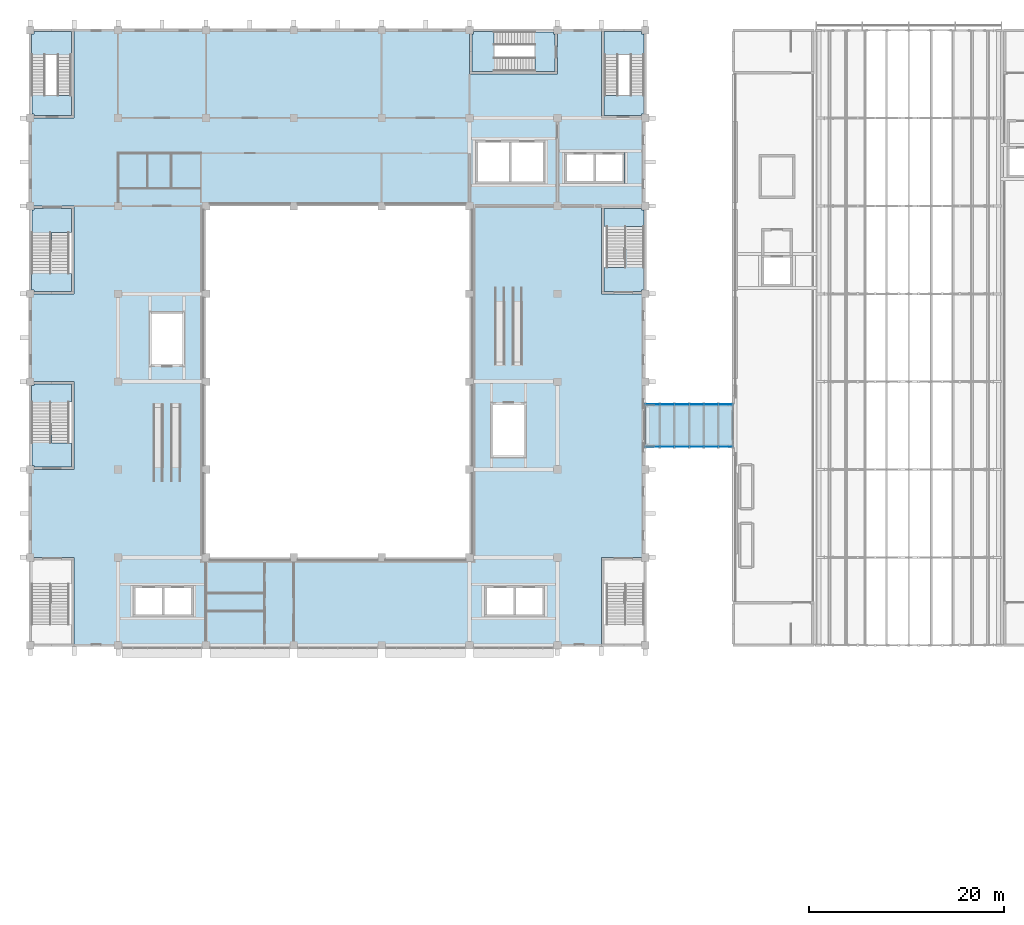
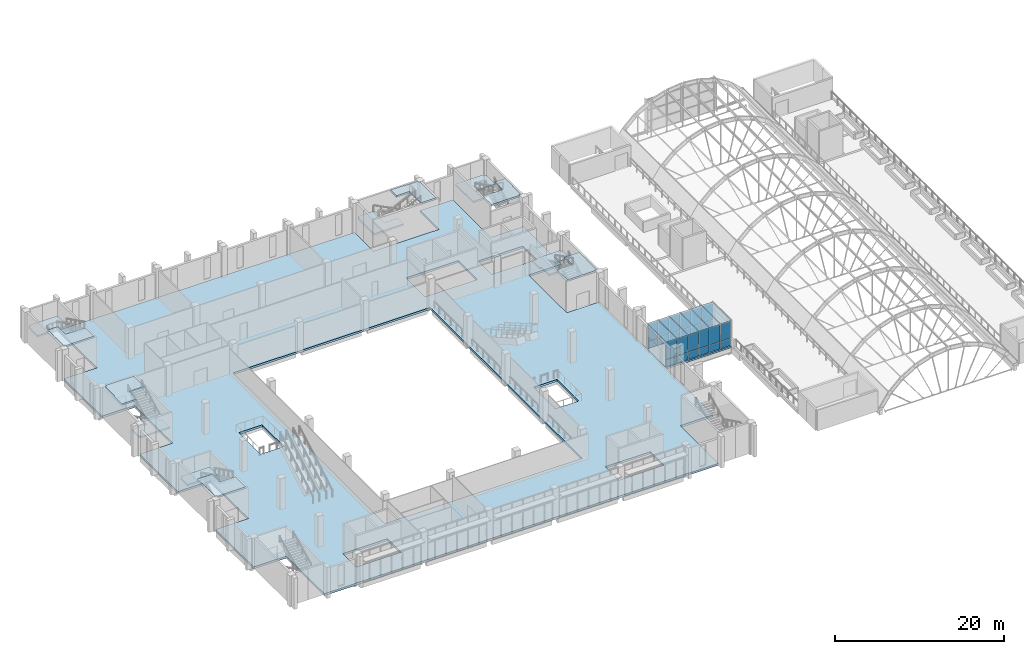
# One storey, part 44 of 79: 30 plates, 14 slabs, 9 elements without a shape of their own.
"""IFC4 building model written with IfcOpenShell, lengths in metres."""

import ifcopenshell
import ifcopenshell.guid

model = None  # the IFC model being written
_history = None  # IfcOwnerHistory: only IFC2X3 demands one
_inside = {}  # id of a spatial element -> (the spatial element, [elements in it])
_under = {}  # id of a project, library or spatial element -> (it, [spatial elements below it])
_declared = {}  # id of a project -> (the project, [libraries it declares])
_typed = {}  # id of a type object -> (the type object, [elements of that type])
_made_of = {}  # id of a material, layer set ... -> (it, [elements and type objects made of it])


def new_model(schema):
    """Start an empty IFC model of exactly this schema.

    Asked for "IFC4X3", IfcOpenShell would pick the latest addendum, in which some entities
    have other attributes; the version numbers below select the first issue.
    IFC2X3 requires an IfcOwnerHistory on every rooted entity: one is made here for all.
    """
    global model, _history
    if schema == "IFC4X3":
        model = ifcopenshell.file(schema_version=(4, 3, 0, 0))
    else:
        model = ifcopenshell.file(schema=schema)
    _inside.clear()
    _under.clear()
    _declared.clear()
    _typed.clear()
    _made_of.clear()
    _history = None
    if model.schema == "IFC2X3":
        org = make("IfcOrganization", Name="unknown")
        user = make(
            "IfcPersonAndOrganization",
            ThePerson=make("IfcPerson", FamilyName="unknown"),
            TheOrganization=org,
        )
        app = make(
            "IfcApplication",
            ApplicationDeveloper=org,
            Version="unknown",
            ApplicationFullName="unknown",
            ApplicationIdentifier="unknown",
        )
        _history = make(
            "IfcOwnerHistory",
            OwningUser=user,
            OwningApplication=app,
            ChangeAction="ADDED",
            CreationDate=0,
        )
    return model


def make(cls, **values):
    """One entity of the class cls with the attributes given. An attribute that is None is left unset."""
    return model.create_entity(
        cls, **{name: value for name, value in values.items() if value is not None}
    )


def rooted(cls, **values):
    """An entity with a GlobalId (a new one), such as an element, a storey or a relation."""
    return make(cls, GlobalId=ifcopenshell.guid.new(), OwnerHistory=_history, **values)


def si_unit(unit_type, name, prefix=None):
    """IfcSIUnit, for example si_unit("LENGTHUNIT", "METRE", prefix="MILLI")."""
    return make("IfcSIUnit", UnitType=unit_type, Prefix=prefix, Name=name)


def assignment(units):
    """IfcUnitAssignment: the units of a project."""
    return None if units is None else make("IfcUnitAssignment", Units=units)


def point(xyz):
    """IfcCartesianPoint."""
    return None if xyz is None else make("IfcCartesianPoint", Coordinates=xyz)


def direction(xyz):
    """IfcDirection."""
    return None if xyz is None else make("IfcDirection", DirectionRatios=xyz)


def frame(location, z_axis=None, x_axis=None):
    """IfcAxis2Placement3D, a coordinate frame: its origin and axes. An axis left out is left unset."""
    return make(
        "IfcAxis2Placement3D",
        Location=point(location),
        Axis=direction(z_axis),
        RefDirection=direction(x_axis),
    )


def frame_2d(location, x_axis=None):
    """IfcAxis2Placement2D, a coordinate frame in the plane: its origin and x axis."""
    return make(
        "IfcAxis2Placement2D", Location=point(location), RefDirection=direction(x_axis)
    )


def origin():
    """The frame at (0, 0, 0) with its axes left unset."""
    return frame((0.0, 0.0, 0.0))


def origin_2d():
    """The frame at (0, 0) in the plane with its x axis left unset."""
    return frame_2d((0.0, 0.0))


def place(relative_to, where):
    """IfcLocalPlacement: puts the frame where relative to a parent placement (None: the world)."""
    return make(
        "IfcLocalPlacement", PlacementRelTo=relative_to, RelativePlacement=where
    )


def context(
    kind, dimensions, precision=None, world=None, true_north=None, identifier=None
):
    """IfcGeometricRepresentationContext, for example the 3D "Model" context."""
    return make(
        "IfcGeometricRepresentationContext",
        ContextIdentifier=identifier,
        ContextType=kind,
        CoordinateSpaceDimension=dimensions,
        Precision=precision,
        WorldCoordinateSystem=world,
        TrueNorth=true_north,
    )


def subcontext(parent, identifier, kind, view, scale=None):
    """IfcGeometricRepresentationSubContext, for example "Body" below "Model"."""
    return make(
        "IfcGeometricRepresentationSubContext",
        ContextIdentifier=identifier,
        ContextType=kind,
        ParentContext=parent,
        TargetScale=scale,
        TargetView=view,
    )


def project(units=None, contexts=None):
    """IfcProject with its units and contexts."""
    return rooted(
        "IfcProject",
        Name="project",
        RepresentationContexts=contexts,
        UnitsInContext=assignment(units),
    )


def spatial(cls, under=None, at=None, **own):
    """A site, building, storey or space (cls), placed at a placement, below another one or the project."""
    s = rooted(cls, ObjectPlacement=at, **own)
    if under is not None:
        _under.setdefault(under.id(), (under, []))[1].append(s)
    return s


def polyline(points):
    """IfcPolyline through the points."""
    return make("IfcPolyline", Points=[point(p) for p in points])


def profile(cls, at=None, kind="AREA", **sizes):
    """A parametric profile (cls). Its sizes go by their IFC names, for example OverallWidth=200.0."""
    return make(cls, ProfileType=kind, Position=at, **sizes)


def rectangle(**sizes):
    """IfcRectangleProfileDef."""
    return profile("IfcRectangleProfileDef", **sizes)


def outline(outer, holes=None, kind="AREA"):
    """IfcArbitraryClosedProfileDef: a profile drawn as a closed curve; with holes, ...WithVoids."""
    if holes is None:
        return make("IfcArbitraryClosedProfileDef", ProfileType=kind, OuterCurve=outer)
    return make(
        "IfcArbitraryProfileDefWithVoids",
        ProfileType=kind,
        OuterCurve=outer,
        InnerCurves=holes,
    )


def extrude(swept, where, along, depth):
    """IfcExtrudedAreaSolid: the profile swept, set in the frame where, extruded along a direction by depth."""
    return make(
        "IfcExtrudedAreaSolid",
        SweptArea=swept,
        Position=where,
        ExtrudedDirection=direction(along),
        Depth=depth,
    )


def shape(context_of_items, identifier, shape_type, items):
    """IfcShapeRepresentation: the items that make up one representation, for example the "Body"."""
    return make(
        "IfcShapeRepresentation",
        ContextOfItems=context_of_items,
        RepresentationIdentifier=identifier,
        RepresentationType=shape_type,
        Items=items,
    )


def material(Name=None, Category=None):
    """IfcMaterial."""
    return make("IfcMaterial", Name=Name, Category=Category)


def layer(
    of_material, thickness, ventilated=None, Name=None, Category=None, Priority=None
):
    """IfcMaterialLayer: one layer of a wall or slab, of a material (None: an air gap)."""
    return make(
        "IfcMaterialLayer",
        Material=of_material,
        LayerThickness=thickness,
        IsVentilated=ventilated,
        Name=Name,
        Category=Category,
        Priority=Priority,
    )


def layer_set(layers, Name=None):
    """IfcMaterialLayerSet."""
    return make("IfcMaterialLayerSet", MaterialLayers=layers, LayerSetName=Name)


def made_of(thing, what):
    """Note that an element or type object is made of a material, layer set ...; save() writes the relation."""
    if what is not None:
        _made_of.setdefault(what.id(), (what, []))[1].append(thing)
    return thing


def type_object(cls, material=None, **own):
    """A type object (cls), such as IfcWallType, which elements share."""
    return made_of(rooted(cls, **own), material)


def element(
    cls,
    number,
    at=None,
    inside=None,
    cuts=None,
    type_object=None,
    material=None,
    context=None,
    identifier="Body",
    shape_type=None,
    held_by="IfcProductDefinitionShape",
    body=None,
    shapes=None,
    **own,
):
    """One element of the class cls, such as IfcWall. Its Tag is "e" and its number.

    at: its placement. inside: the storey or other place that contains it. cuts: it is an
    opening in that element (IfcRelVoidsElement). A single representation is given by context,
    identifier, shape_type and body (its items); several are given by shapes. held_by: the class
    of the entity that holds the representations. save() writes the other relations.
    """
    e = rooted(cls, Tag="e%d" % number, ObjectPlacement=at, **own)
    if body is not None:
        shapes = [shape(context, identifier, shape_type, body)]
    if shapes is not None:
        e.Representation = make(held_by, Representations=shapes)
    if inside is not None:
        _inside.setdefault(inside.id(), (inside, []))[1].append(e)
    if cuts is not None:
        rooted(
            "IfcRelVoidsElement", RelatingBuildingElement=cuts, RelatedOpeningElement=e
        )
    if type_object is not None:
        _typed.setdefault(type_object.id(), (type_object, []))[1].append(e)
    return made_of(e, material)


def aggregate(whole, parts):
    """IfcRelAggregates: a whole, such as a stair, and the parts it consists of."""
    return rooted("IfcRelAggregates", RelatingObject=whole, RelatedObjects=parts)


def save(model, path):
    """Write the relations noted so far, then the file.

    IfcRelAggregates (storeys below a building ...), IfcRelContainedInSpatialStructure (elements
    in a storey), IfcRelDefinesByType, IfcRelAssociatesMaterial and IfcRelDeclares: one each for
    every whole, place, type object, material and project.
    """
    for whole, parts in _under.values():
        aggregate(whole, parts)
    for where, things in _inside.values():
        rooted(
            "IfcRelContainedInSpatialStructure",
            RelatedElements=things,
            RelatingStructure=where,
        )
    for kind, things in _typed.values():
        rooted("IfcRelDefinesByType", RelatedObjects=things, RelatingType=kind)
    for what, things in _made_of.values():
        rooted("IfcRelAssociatesMaterial", RelatedObjects=things, RelatingMaterial=what)
    for by, libraries in _declared.values():
        rooted("IfcRelDeclares", RelatingContext=by, RelatedDefinitions=libraries)
    model.write(path)


model = new_model("IFC4")

# Units and contexts
model_context = context("Model", 3, precision=1e-05, world=origin(), true_north=direction((0.0, 1.0)))
body_context = subcontext(model_context, "Body", "Model", "MODEL_VIEW")
ifc_project = project(units=[si_unit("LENGTHUNIT", "METRE"), si_unit("AREAUNIT", "SQUARE_METRE"), si_unit("VOLUMEUNIT", "CUBIC_METRE"), si_unit("PLANEANGLEUNIT", "RADIAN"), si_unit("MASSUNIT", "GRAM", prefix="KILO")], contexts=[model_context])

# Site, building, storey
site_placement = place(None, origin())
site = spatial("IfcSite", under=ifc_project, at=site_placement, CompositionType="ELEMENT")
building_placement = place(site_placement, origin())
building = spatial("IfcBuilding", under=site, at=building_placement, Name="Guidao Yard Department Store", CompositionType="ELEMENT")
storey_placement = place(building_placement, frame((0.0, 0.0, 15.0)))
storey = spatial("IfcBuildingStorey", under=building, at=storey_placement, Name="L03", CompositionType="ELEMENT", Elevation=15.0)

# Slab
ifc_material_1 = material(Name="Concrete C35", Category="concrete")
ifc_layer_1 = layer(ifc_material_1, 0.25)
ifc_layer_set_1 = layer_set([ifc_layer_1], Name="Bridge deck slab 250 C35")
slab_type_1 = type_object("IfcSlabType", Name="Bridge deck slab 250 C35", PredefinedType="FLOOR", material=ifc_layer_set_1)
slab_1_placement = place(storey_placement, frame((0.0, 0.0, -0.25)))
element("IfcSlab", 1, at=slab_1_placement, inside=storey, type_object=slab_type_1, Name="Slab BR05", PredefinedType="FLOOR", context=body_context, shape_type="SweptSolid", body=[
    extrude(outline(polyline([(63.014892578125, 65.25), (63.014892578125, 69.75), (72.0, 69.75), (72.0, 65.25), (63.014892578125, 65.25)])), origin(), (0.0, 0.0, 1.0), 0.25),
])

# Curtain wall, plates
ifc_material_2 = material(Name="Aluminium and glass", Category="aluminium")
ifc_layer_2 = layer(ifc_material_2, 0.159912109375)
ifc_layer_set_2 = layer_set([ifc_layer_2], Name="Bridge glazing CW5 1500 module")
curtain_wall_type = type_object("IfcCurtainWallType", Name="Bridge glazing CW5 1500 module", PredefinedType="NOTDEFINED", material=ifc_layer_set_2)
curtain_wall_1_placement = place(storey_placement, origin())
curtain_wall_1 = element("IfcCurtainWall", 2, at=curtain_wall_1_placement, inside=storey, type_object=curtain_wall_type, Name="Bridge roof glazing BR05", PredefinedType="NOTDEFINED")
ifc_material_3 = material(Name="Laminated glass", Category="glass")
ifc_layer_3 = layer(ifc_material_3, 0.017578125)
ifc_layer_set_3 = layer_set([ifc_layer_3], Name="Bridge roof glass BG1 laminated 8+8 fritted")
plate_type_1 = type_object("IfcPlateType", Name="Bridge roof glass BG1 laminated 8+8 fritted", PredefinedType="CURTAIN_PANEL", material=ifc_layer_set_3)
plate_1_placement = place(storey_placement, frame((63.764892578125, 67.5, 3.671142578125), z_axis=(0.0, 0.0, 1.0), x_axis=(1.0, 0.0, 0.0)))
plate_1 = element("IfcPlate", 3, at=plate_1_placement, type_object=plate_type_1, Name="Bridge roof glass BR05", PredefinedType="CURTAIN_PANEL", context=body_context, shape_type="SweptSolid", body=[
    extrude(rectangle(XDim=1.43994140625, YDim=4.5, at=origin_2d()), origin(), (0.0, 0.0, 1.0), 0.017578125),
])
plate_2_placement = place(storey_placement, frame((65.264892578125, 67.5, 3.671142578125), z_axis=(0.0, 0.0, 1.0), x_axis=(1.0, 0.0, 0.0)))
plate_2 = element("IfcPlate", 4, at=plate_2_placement, type_object=plate_type_1, Name="Bridge roof glass BR05", PredefinedType="CURTAIN_PANEL", context=body_context, shape_type="SweptSolid", body=[
    extrude(rectangle(XDim=1.43994140625, YDim=4.5, at=origin_2d()), origin(), (0.0, 0.0, 1.0), 0.017578125),
])
plate_3_placement = place(storey_placement, frame((66.764892578125, 67.5, 3.671142578125), z_axis=(0.0, 0.0, 1.0), x_axis=(1.0, 0.0, 0.0)))
plate_3 = element("IfcPlate", 5, at=plate_3_placement, type_object=plate_type_1, Name="Bridge roof glass BR05", PredefinedType="CURTAIN_PANEL", context=body_context, shape_type="SweptSolid", body=[
    extrude(rectangle(XDim=1.43994140625, YDim=4.5, at=origin_2d()), origin(), (0.0, 0.0, 1.0), 0.017578125),
])
plate_4_placement = place(storey_placement, frame((68.264892578125, 67.5, 3.671142578125), z_axis=(0.0, 0.0, 1.0), x_axis=(1.0, 0.0, 0.0)))
plate_4 = element("IfcPlate", 6, at=plate_4_placement, type_object=plate_type_1, Name="Bridge roof glass BR05", PredefinedType="CURTAIN_PANEL", context=body_context, shape_type="SweptSolid", body=[
    extrude(rectangle(XDim=1.43994140625, YDim=4.5, at=origin_2d()), origin(), (0.0, 0.0, 1.0), 0.017578125),
])
plate_5_placement = place(storey_placement, frame((69.764892578125, 67.5, 3.671142578125), z_axis=(0.0, 0.0, 1.0), x_axis=(1.0, 0.0, 0.0)))
plate_5 = element("IfcPlate", 7, at=plate_5_placement, type_object=plate_type_1, Name="Bridge roof glass BR05", PredefinedType="CURTAIN_PANEL", context=body_context, shape_type="SweptSolid", body=[
    extrude(rectangle(XDim=1.43994140625, YDim=4.5, at=origin_2d()), origin(), (0.0, 0.0, 1.0), 0.017578125),
])
plate_6_placement = place(storey_placement, frame((71.257568359375, 67.5, 3.671142578125), z_axis=(0.0, 0.0, 1.0), x_axis=(1.0, 0.0, 0.0)))
plate_6 = element("IfcPlate", 8, at=plate_6_placement, type_object=plate_type_1, Name="Bridge roof glass BR05", PredefinedType="CURTAIN_PANEL", context=body_context, shape_type="SweptSolid", body=[
    extrude(rectangle(XDim=1.425048828125, YDim=4.5, at=origin_2d()), origin(), (0.0, 0.0, 1.0), 0.017578125),
])
aggregate(curtain_wall_1, [plate_1, plate_2, plate_3, plate_4, plate_5, plate_6])

# Slab
ifc_material_4 = material(Name="Concrete C35", Category="concrete")
ifc_layer_4 = layer(ifc_material_4, 0.300048828125)
ifc_layer_set_4 = layer_set([ifc_layer_4], Name="Flat slab 300 C35")
slab_type_2 = type_object("IfcSlabType", Name="Flat slab 300 C35", PredefinedType="FLOOR", material=ifc_layer_set_4)
slab_2_placement = place(storey_placement, frame((0.0, 0.0, -0.300048828125)))
element("IfcSlab", 9, at=slab_2_placement, inside=storey, type_object=slab_type_2, Name="Slab L03-H", PredefinedType="FLOOR", context=body_context, shape_type="SweptSolid", body=[
    extrude(outline(polyline([(58.5, 54.0), (58.5, 45.0), (4.5, 45.0), (4.5, 54.0), (0.0, 54.0), (0.0, 63.0), (4.5, 63.0), (4.5, 72.0), (0.0, 72.0), (0.0, 81.0), (4.5, 81.0), (4.5, 90.0), (0.0, 90.0), (0.0, 99.0), (4.5, 99.0), (4.5, 108.0), (45.0, 108.0), (45.0, 103.5), (54.0, 103.5), (54.0, 108.0), (58.5, 108.0), (58.5, 99.0), (63.0, 99.0), (63.0, 90.0), (58.5, 90.0), (58.5, 81.0), (63.0, 81.0), (63.0, 54.0), (58.5, 54.0)]), holes=[polyline([(16.699951171875, 51.10009765625), (13.75, 51.10009765625), (13.5, 51.10009765625), (10.550048828125, 51.10009765625), (10.550048828125, 47.89990234375), (13.5, 47.89990234375), (13.75, 47.89990234375), (16.699951171875, 47.89990234375), (16.699951171875, 51.10009765625)]), polyline([(46.550048828125, 47.89990234375), (49.5, 47.89990234375), (49.75, 47.89990234375), (52.699951171875, 47.89990234375), (52.699951171875, 51.10009765625), (49.75, 51.10009765625), (49.5, 51.10009765625), (46.550048828125, 51.10009765625), (46.550048828125, 47.89990234375)]), polyline([(47.39990234375, 69.593994140625), (47.39990234375, 64.4560546875), (50.60009765625, 64.4560546875), (50.60009765625, 69.593994140625), (47.39990234375, 69.593994140625)]), polyline([(18.0, 90.0), (18.0, 54.0), (45.0, 54.0), (45.0, 90.0), (18.0, 90.0)]), polyline([(12.39990234375, 78.944091796875), (12.39990234375, 73.805908203125), (15.60009765625, 73.805908203125), (15.60009765625, 78.944091796875), (12.39990234375, 78.944091796875)]), polyline([(54.75, 92.300048828125), (57.699951171875, 92.300048828125), (57.949951171875, 92.300048828125), (60.89990234375, 92.300048828125), (60.89990234375, 95.5), (57.949951171875, 95.5), (57.699951171875, 95.5), (54.75, 95.5), (54.75, 92.300048828125)]), polyline([(45.60009765625, 96.75), (45.60009765625, 92.25), (49.050048828125, 92.25), (49.300048828125, 92.25), (52.75, 92.25), (52.75, 96.75), (49.300048828125, 96.75), (49.050048828125, 96.75), (45.60009765625, 96.75)])]), origin(), (0.0, 0.0, 1.0), 0.300048828125),
])

# Stair, slabs
ifc_material_5 = material(Name="Concrete C35", Category="concrete")
stair_type_1 = type_object("IfcStairType", Name="Stair half-turn two-flight 1800 wide 4.5 m rise", PredefinedType="HALF_TURN_STAIR", material=ifc_material_5)
stair_1_placement = place(storey_placement, origin())
stair_1 = element("IfcStair", 10, at=stair_1_placement, inside=storey, type_object=stair_type_1, Name="Stair A1 L03 to L04", PredefinedType="HALF_TURN_STAIR")
ifc_material_6 = material(Name="Concrete C35", Category="concrete")
ifc_layer_5 = layer(ifc_material_6, 0.25)
ifc_layer_set_5 = layer_set([ifc_layer_5], Name="Stair landing RC 250 C35")
slab_type_3 = type_object("IfcSlabType", Name="Stair landing RC 250 C35", PredefinedType="LANDING", material=ifc_layer_set_5)
slab_3_placement = place(storey_placement, frame((0.0, 0.0, 2.0)))
slab_3 = element("IfcSlab", 11, at=slab_3_placement, type_object=slab_type_3, Name="SA1-L03 landing 1", PredefinedType="LANDING", context=body_context, shape_type="SweptSolid", body=[
    extrude(outline(polyline([(2.175048828125, 69.889892578125), (0.125, 69.889892578125), (0.125, 69.89990234375), (0.125, 71.60009765625), (0.39990234375, 71.60009765625), (0.39990234375, 71.75), (4.25, 71.75), (4.25, 69.89990234375), (3.97509765625, 69.89990234375), (3.97509765625, 68.070068359375), (2.175048828125, 68.070068359375), (2.175048828125, 69.889892578125)])), origin(), (0.0, 0.0, 1.0), 0.25),
])
slab_4_placement = place(storey_placement, frame((0.0, 0.0, 4.25)))
slab_4 = element("IfcSlab", 12, at=slab_4_placement, type_object=slab_type_3, Name="SA1-L03 landing 2", PredefinedType="LANDING", context=body_context, shape_type="SweptSolid", body=[
    extrude(outline(polyline([(0.125, 65.699951171875), (0.125, 67.530029296875), (2.175048828125, 67.530029296875), (2.175048828125, 65.7099609375), (4.25, 65.7099609375), (4.25, 63.25), (2.175048828125, 63.25), (0.39990234375, 63.25), (0.39990234375, 63.39990234375), (0.199951171875, 63.39990234375), (0.199951171875, 65.699951171875), (0.125, 65.699951171875)])), origin(), (0.0, 0.0, 1.0), 0.25),
])
aggregate(stair_1, [slab_3, slab_4])

stair_2_placement = place(storey_placement, origin())
stair_2 = element("IfcStair", 13, at=stair_2_placement, inside=storey, type_object=stair_type_1, Name="Stair A3 L03 to L04", PredefinedType="HALF_TURN_STAIR")
slab_5_placement = place(storey_placement, frame((0.0, 0.0, 2.0)))
slab_5 = element("IfcSlab", 14, at=slab_5_placement, type_object=slab_type_3, Name="SA3-L03 landing 1", PredefinedType="LANDING", context=body_context, shape_type="SweptSolid", body=[
    extrude(outline(polyline([(0.39990234375, 81.25), (0.39990234375, 81.39990234375), (0.125, 81.39990234375), (0.125, 83.10009765625), (0.125, 83.110107421875), (2.175048828125, 83.110107421875), (2.175048828125, 84.929931640625), (3.97509765625, 84.929931640625), (3.97509765625, 83.10009765625), (4.25, 83.10009765625), (4.25, 81.25), (0.39990234375, 81.25)])), origin(), (0.0, 0.0, 1.0), 0.25),
])
slab_6_placement = place(storey_placement, frame((0.0, 0.0, 4.25)))
slab_6 = element("IfcSlab", 15, at=slab_6_placement, type_object=slab_type_3, Name="SA3-L03 landing 2", PredefinedType="LANDING", context=body_context, shape_type="SweptSolid", body=[
    extrude(outline(polyline([(0.125, 87.300048828125), (0.199951171875, 87.300048828125), (0.199951171875, 89.60009765625), (0.39990234375, 89.60009765625), (0.39990234375, 89.75), (2.175048828125, 89.75), (4.25, 89.75), (4.25, 87.2900390625), (2.175048828125, 87.2900390625), (2.175048828125, 85.469970703125), (0.125, 85.469970703125), (0.125, 87.300048828125)])), origin(), (0.0, 0.0, 1.0), 0.25),
])
aggregate(stair_2, [slab_5, slab_6])

stair_3_placement = place(storey_placement, origin())
stair_3 = element("IfcStair", 16, at=stair_3_placement, inside=storey, type_object=stair_type_1, Name="Stair A4 L03 to L04", PredefinedType="HALF_TURN_STAIR")
slab_7_placement = place(storey_placement, frame((0.0, 0.0, 2.0)))
slab_7 = element("IfcSlab", 17, at=slab_7_placement, type_object=slab_type_3, Name="SA4-L03 landing 1", PredefinedType="LANDING", context=body_context, shape_type="SweptSolid", body=[
    extrude(outline(polyline([(59.02490234375, 87.89990234375), (58.75, 87.89990234375), (58.75, 89.75), (62.60009765625, 89.75), (62.60009765625, 89.60009765625), (62.875, 89.60009765625), (62.875, 87.89990234375), (62.875, 87.889892578125), (60.824951171875, 87.889892578125), (60.824951171875, 86.070068359375), (59.02490234375, 86.070068359375), (59.02490234375, 87.89990234375)])), origin(), (0.0, 0.0, 1.0), 0.25),
])
slab_8_placement = place(storey_placement, frame((0.0, 0.0, 4.25)))
slab_8 = element("IfcSlab", 18, at=slab_8_placement, type_object=slab_type_3, Name="SA4-L03 landing 2", PredefinedType="LANDING", context=body_context, shape_type="SweptSolid", body=[
    extrude(outline(polyline([(58.75, 81.25), (58.75, 83.7099609375), (60.824951171875, 83.7099609375), (60.824951171875, 85.530029296875), (62.875, 85.530029296875), (62.875, 83.699951171875), (62.800048828125, 83.699951171875), (62.800048828125, 81.39990234375), (62.60009765625, 81.39990234375), (62.60009765625, 81.25), (60.824951171875, 81.25), (58.75, 81.25)])), origin(), (0.0, 0.0, 1.0), 0.25),
])
aggregate(stair_3, [slab_7, slab_8])

ifc_material_7 = material(Name="Concrete C35", Category="concrete")
stair_type_2 = type_object("IfcStairType", Name="Stair half-turn two-flight 1400 wide 4.5 m rise", PredefinedType="HALF_TURN_STAIR", material=ifc_material_7)
stair_4_placement = place(storey_placement, origin())
stair_4 = element("IfcStair", 19, at=stair_4_placement, inside=storey, type_object=stair_type_2, Name="Stair A5 L03 to L04", PredefinedType="HALF_TURN_STAIR")
slab_9_placement = place(storey_placement, frame((0.0, 0.0, 2.0)))
slab_9 = element("IfcSlab", 20, at=slab_9_placement, type_object=slab_type_3, Name="SA5-L03 landing 1", PredefinedType="LANDING", context=body_context, shape_type="SweptSolid", body=[
    extrude(outline(polyline([(2.800048828125, 105.5), (1.52490234375, 105.5), (1.52490234375, 105.489990234375), (0.125, 105.489990234375), (0.125, 105.5), (0.125, 107.60009765625), (0.39990234375, 107.60009765625), (0.39990234375, 107.875), (4.25, 107.875), (4.25, 105.5), (4.199951171875, 105.5), (4.199951171875, 103.669921875), (2.800048828125, 103.669921875), (2.800048828125, 105.5)])), origin(), (0.0, 0.0, 1.0), 0.25),
])
slab_10_placement = place(storey_placement, frame((0.0, 0.0, 4.25)))
slab_10 = element("IfcSlab", 21, at=slab_10_placement, type_object=slab_type_3, Name="SA5-L03 landing 2", PredefinedType="LANDING", context=body_context, shape_type="SweptSolid", body=[
    extrude(outline(polyline([(4.25, 101.31005859375), (4.25, 99.25), (2.800048828125, 99.25), (0.39990234375, 99.25), (0.39990234375, 99.39990234375), (0.199951171875, 99.39990234375), (0.199951171875, 101.300048828125), (0.125, 101.300048828125), (0.125, 103.1298828125), (1.52490234375, 103.1298828125), (1.52490234375, 101.300048828125), (2.800048828125, 101.300048828125), (2.800048828125, 101.31005859375), (4.25, 101.31005859375)])), origin(), (0.0, 0.0, 1.0), 0.25),
])
aggregate(stair_4, [slab_9, slab_10])

stair_5_placement = place(storey_placement, origin())
stair_5 = element("IfcStair", 22, at=stair_5_placement, inside=storey, type_object=stair_type_2, Name="Stair A6 L03 to L04", PredefinedType="HALF_TURN_STAIR")
slab_11_placement = place(storey_placement, frame((0.0, 0.0, 2.0)))
slab_11 = element("IfcSlab", 23, at=slab_11_placement, type_object=slab_type_3, Name="SA6-L03 landing 1", PredefinedType="LANDING", context=body_context, shape_type="SweptSolid", body=[
    extrude(outline(polyline([(58.800048828125, 105.5), (58.75, 105.5), (58.75, 107.875), (62.60009765625, 107.875), (62.60009765625, 107.60009765625), (62.875, 107.60009765625), (62.875, 105.5), (62.875, 105.489990234375), (61.47509765625, 105.489990234375), (61.47509765625, 105.5), (60.199951171875, 105.5), (60.199951171875, 103.669921875), (58.800048828125, 103.669921875), (58.800048828125, 105.5)])), origin(), (0.0, 0.0, 1.0), 0.25),
])
slab_12_placement = place(storey_placement, frame((0.0, 0.0, 4.25)))
slab_12 = element("IfcSlab", 24, at=slab_12_placement, type_object=slab_type_3, Name="SA6-L03 landing 2", PredefinedType="LANDING", context=body_context, shape_type="SweptSolid", body=[
    extrude(outline(polyline([(58.75, 99.25), (58.75, 101.31005859375), (60.199951171875, 101.31005859375), (60.199951171875, 101.300048828125), (61.47509765625, 101.300048828125), (61.47509765625, 103.1298828125), (62.875, 103.1298828125), (62.875, 101.300048828125), (62.800048828125, 101.300048828125), (62.800048828125, 99.39990234375), (62.60009765625, 99.39990234375), (62.60009765625, 99.25), (60.199951171875, 99.25), (58.75, 99.25)])), origin(), (0.0, 0.0, 1.0), 0.25),
])
aggregate(stair_5, [slab_11, slab_12])

stair_6_placement = place(storey_placement, origin())
stair_6 = element("IfcStair", 25, at=stair_6_placement, inside=storey, type_object=stair_type_2, Name="Stair A7 L03 to L04", PredefinedType="HALF_TURN_STAIR")
slab_13_placement = place(storey_placement, frame((0.0, 0.0, 2.0)))
slab_13 = element("IfcSlab", 26, at=slab_13_placement, type_object=slab_type_3, Name="SA7-L03 landing 1", PredefinedType="LANDING", context=body_context, shape_type="SweptSolid", body=[
    extrude(outline(polyline([(47.5, 103.800048828125), (47.5, 103.75), (45.25, 103.75), (45.25, 107.60009765625), (45.39990234375, 107.60009765625), (45.39990234375, 107.875), (47.5, 107.875), (47.510009765625, 107.875), (47.510009765625, 106.47509765625), (47.5, 106.47509765625), (47.5, 105.199951171875), (49.330078125, 105.199951171875), (49.330078125, 103.800048828125), (47.5, 103.800048828125)])), origin(), (0.0, 0.0, 1.0), 0.25),
])
slab_14_placement = place(storey_placement, frame((0.0, 0.0, 4.25)))
slab_14 = element("IfcSlab", 27, at=slab_14_placement, type_object=slab_type_3, Name="SA7-L03 landing 2", PredefinedType="LANDING", context=body_context, shape_type="SweptSolid", body=[
    extrude(outline(polyline([(51.68994140625, 105.199951171875), (51.699951171875, 105.199951171875), (51.699951171875, 106.47509765625), (49.8701171875, 106.47509765625), (49.8701171875, 107.875), (51.699951171875, 107.875), (51.699951171875, 107.800048828125), (53.60009765625, 107.800048828125), (53.60009765625, 107.60009765625), (53.75, 107.60009765625), (53.75, 105.199951171875), (53.75, 103.75), (51.68994140625, 103.75), (51.68994140625, 105.199951171875)])), origin(), (0.0, 0.0, 1.0), 0.25),
])
aggregate(stair_6, [slab_13, slab_14])

# Curtain wall, plates
curtain_wall_2_placement = place(storey_placement, origin())
curtain_wall_2 = element("IfcCurtainWall", 28, at=curtain_wall_2_placement, inside=storey, type_object=curtain_wall_type, Name="Bridge glazing BR05 S", PredefinedType="NOTDEFINED")
ifc_material_8 = material(Name="Laminated heat-soaked tempered glass", Category="glass")
ifc_layer_6 = layer(ifc_material_8, 0.017578125)
ifc_layer_set_6 = layer_set([ifc_layer_6], Name="Vision glass VG1 laminated heat-soaked tempered 8+8")
plate_type_2 = type_object("IfcPlateType", Name="Vision glass VG1 laminated heat-soaked tempered 8+8", PredefinedType="CURTAIN_PANEL", material=ifc_layer_set_6)
plate_7_placement = place(storey_placement, frame((63.780029296875, 65.330078125, 0.06005859375), z_axis=(0.0, 0.0, 1.0), x_axis=(-1.0, 0.0, 0.0)))
plate_7 = element("IfcPlate", 29, at=plate_7_placement, type_object=plate_type_2, Name="CW-S-L03-01 panel 1.1", PredefinedType="CURTAIN_PANEL", context=body_context, shape_type="SweptSolid", body=[
    extrude(rectangle(XDim=1.409912109375, YDim=0.017578125, at=origin_2d()), origin(), (0.0, 0.0, 1.0), 1.010009765625),
])
plate_8_placement = place(storey_placement, frame((63.780029296875, 65.330078125, 1.1298828125), z_axis=(0.0, 0.0, 1.0), x_axis=(-1.0, 0.0, 0.0)))
plate_8 = element("IfcPlate", 30, at=plate_8_placement, type_object=plate_type_2, Name="CW-S-L03-01 panel 1.2", PredefinedType="CURTAIN_PANEL", context=body_context, shape_type="SweptSolid", body=[
    extrude(rectangle(XDim=1.409912109375, YDim=0.017578125, at=origin_2d()), origin(), (0.0, 0.0, 1.0), 2.409912109375),
])
plate_9_placement = place(storey_placement, frame((65.264892578125, 65.330078125, 0.06005859375), z_axis=(0.0, 0.0, 1.0), x_axis=(-1.0, 0.0, 0.0)))
plate_9 = element("IfcPlate", 31, at=plate_9_placement, type_object=plate_type_2, Name="CW-S-L03-01 panel 2.1", PredefinedType="CURTAIN_PANEL", context=body_context, shape_type="SweptSolid", body=[
    extrude(rectangle(XDim=1.43994140625, YDim=0.017578125, at=origin_2d()), origin(), (0.0, 0.0, 1.0), 1.010009765625),
])
plate_10_placement = place(storey_placement, frame((65.264892578125, 65.330078125, 1.1298828125), z_axis=(0.0, 0.0, 1.0), x_axis=(-1.0, 0.0, 0.0)))
plate_10 = element("IfcPlate", 32, at=plate_10_placement, type_object=plate_type_2, Name="CW-S-L03-01 panel 2.2", PredefinedType="CURTAIN_PANEL", context=body_context, shape_type="SweptSolid", body=[
    extrude(rectangle(XDim=1.43994140625, YDim=0.017578125, at=origin_2d()), origin(), (0.0, 0.0, 1.0), 2.409912109375),
])
plate_11_placement = place(storey_placement, frame((66.764892578125, 65.330078125, 0.06005859375), z_axis=(0.0, 0.0, 1.0), x_axis=(-1.0, 0.0, 0.0)))
plate_11 = element("IfcPlate", 33, at=plate_11_placement, type_object=plate_type_2, Name="CW-S-L03-01 panel 3.1", PredefinedType="CURTAIN_PANEL", context=body_context, shape_type="SweptSolid", body=[
    extrude(rectangle(XDim=1.43994140625, YDim=0.017578125, at=origin_2d()), origin(), (0.0, 0.0, 1.0), 1.010009765625),
])
plate_12_placement = place(storey_placement, frame((66.764892578125, 65.330078125, 1.1298828125), z_axis=(0.0, 0.0, 1.0), x_axis=(-1.0, 0.0, 0.0)))
plate_12 = element("IfcPlate", 34, at=plate_12_placement, type_object=plate_type_2, Name="CW-S-L03-01 panel 3.2", PredefinedType="CURTAIN_PANEL", context=body_context, shape_type="SweptSolid", body=[
    extrude(rectangle(XDim=1.43994140625, YDim=0.017578125, at=origin_2d()), origin(), (0.0, 0.0, 1.0), 2.409912109375),
])
plate_13_placement = place(storey_placement, frame((68.264892578125, 65.330078125, 0.06005859375), z_axis=(0.0, 0.0, 1.0), x_axis=(-1.0, 0.0, 0.0)))
plate_13 = element("IfcPlate", 35, at=plate_13_placement, type_object=plate_type_2, Name="CW-S-L03-01 panel 4.1", PredefinedType="CURTAIN_PANEL", context=body_context, shape_type="SweptSolid", body=[
    extrude(rectangle(XDim=1.43994140625, YDim=0.017578125, at=origin_2d()), origin(), (0.0, 0.0, 1.0), 1.010009765625),
])
plate_14_placement = place(storey_placement, frame((68.264892578125, 65.330078125, 1.1298828125), z_axis=(0.0, 0.0, 1.0), x_axis=(-1.0, 0.0, 0.0)))
plate_14 = element("IfcPlate", 36, at=plate_14_placement, type_object=plate_type_2, Name="CW-S-L03-01 panel 4.2", PredefinedType="CURTAIN_PANEL", context=body_context, shape_type="SweptSolid", body=[
    extrude(rectangle(XDim=1.43994140625, YDim=0.017578125, at=origin_2d()), origin(), (0.0, 0.0, 1.0), 2.409912109375),
])
plate_15_placement = place(storey_placement, frame((69.764892578125, 65.330078125, 0.06005859375), z_axis=(0.0, 0.0, 1.0), x_axis=(-1.0, 0.0, 0.0)))
plate_15 = element("IfcPlate", 37, at=plate_15_placement, type_object=plate_type_2, Name="CW-S-L03-01 panel 5.1", PredefinedType="CURTAIN_PANEL", context=body_context, shape_type="SweptSolid", body=[
    extrude(rectangle(XDim=1.43994140625, YDim=0.017578125, at=origin_2d()), origin(), (0.0, 0.0, 1.0), 1.010009765625),
])
plate_16_placement = place(storey_placement, frame((69.764892578125, 65.330078125, 1.1298828125), z_axis=(0.0, 0.0, 1.0), x_axis=(-1.0, 0.0, 0.0)))
plate_16 = element("IfcPlate", 38, at=plate_16_placement, type_object=plate_type_2, Name="CW-S-L03-01 panel 5.2", PredefinedType="CURTAIN_PANEL", context=body_context, shape_type="SweptSolid", body=[
    extrude(rectangle(XDim=1.43994140625, YDim=0.017578125, at=origin_2d()), origin(), (0.0, 0.0, 1.0), 2.409912109375),
])
plate_17_placement = place(storey_placement, frame((71.242431640625, 65.330078125, 0.06005859375), z_axis=(0.0, 0.0, 1.0), x_axis=(-1.0, 0.0, 0.0)))
plate_17 = element("IfcPlate", 39, at=plate_17_placement, type_object=plate_type_2, Name="CW-S-L03-01 panel 6.1", PredefinedType="CURTAIN_PANEL", context=body_context, shape_type="SweptSolid", body=[
    extrude(rectangle(XDim=1.39501953125, YDim=0.017578125, at=origin_2d()), origin(), (0.0, 0.0, 1.0), 1.010009765625),
])
plate_18_placement = place(storey_placement, frame((71.242431640625, 65.330078125, 1.1298828125), z_axis=(0.0, 0.0, 1.0), x_axis=(-1.0, 0.0, 0.0)))
plate_18 = element("IfcPlate", 40, at=plate_18_placement, type_object=plate_type_2, Name="CW-S-L03-01 panel 6.2", PredefinedType="CURTAIN_PANEL", context=body_context, shape_type="SweptSolid", body=[
    extrude(rectangle(XDim=1.39501953125, YDim=0.017578125, at=origin_2d()), origin(), (0.0, 0.0, 1.0), 2.409912109375),
])
aggregate(curtain_wall_2, [plate_7, plate_8, plate_9, plate_10, plate_11, plate_12, plate_13, plate_14, plate_15, plate_16, plate_17, plate_18])

curtain_wall_3_placement = place(storey_placement, origin())
curtain_wall_3 = element("IfcCurtainWall", 41, at=curtain_wall_3_placement, inside=storey, type_object=curtain_wall_type, Name="Bridge glazing BR05 N", PredefinedType="NOTDEFINED")
plate_19_placement = place(storey_placement, frame((63.780029296875, 69.669921875, 0.06005859375), z_axis=(0.0, 0.0, 1.0), x_axis=(1.0, 0.0, 0.0)))
plate_19 = element("IfcPlate", 42, at=plate_19_placement, type_object=plate_type_2, Name="CW-N-L03-02 panel 1.1", PredefinedType="CURTAIN_PANEL", context=body_context, shape_type="SweptSolid", body=[
    extrude(rectangle(XDim=1.409912109375, YDim=0.017578125, at=origin_2d()), origin(), (0.0, 0.0, 1.0), 1.010009765625),
])
plate_20_placement = place(storey_placement, frame((63.780029296875, 69.669921875, 1.1298828125), z_axis=(0.0, 0.0, 1.0), x_axis=(1.0, 0.0, 0.0)))
plate_20 = element("IfcPlate", 43, at=plate_20_placement, type_object=plate_type_2, Name="CW-N-L03-02 panel 1.2", PredefinedType="CURTAIN_PANEL", context=body_context, shape_type="SweptSolid", body=[
    extrude(rectangle(XDim=1.409912109375, YDim=0.017578125, at=origin_2d()), origin(), (0.0, 0.0, 1.0), 2.409912109375),
])
plate_21_placement = place(storey_placement, frame((65.264892578125, 69.669921875, 0.06005859375), z_axis=(0.0, 0.0, 1.0), x_axis=(1.0, 0.0, 0.0)))
plate_21 = element("IfcPlate", 44, at=plate_21_placement, type_object=plate_type_2, Name="CW-N-L03-02 panel 2.1", PredefinedType="CURTAIN_PANEL", context=body_context, shape_type="SweptSolid", body=[
    extrude(rectangle(XDim=1.43994140625, YDim=0.017578125, at=origin_2d()), origin(), (0.0, 0.0, 1.0), 1.010009765625),
])
plate_22_placement = place(storey_placement, frame((65.264892578125, 69.669921875, 1.1298828125), z_axis=(0.0, 0.0, 1.0), x_axis=(1.0, 0.0, 0.0)))
plate_22 = element("IfcPlate", 45, at=plate_22_placement, type_object=plate_type_2, Name="CW-N-L03-02 panel 2.2", PredefinedType="CURTAIN_PANEL", context=body_context, shape_type="SweptSolid", body=[
    extrude(rectangle(XDim=1.43994140625, YDim=0.017578125, at=origin_2d()), origin(), (0.0, 0.0, 1.0), 2.409912109375),
])
plate_23_placement = place(storey_placement, frame((66.764892578125, 69.669921875, 0.06005859375), z_axis=(0.0, 0.0, 1.0), x_axis=(1.0, 0.0, 0.0)))
plate_23 = element("IfcPlate", 46, at=plate_23_placement, type_object=plate_type_2, Name="CW-N-L03-02 panel 3.1", PredefinedType="CURTAIN_PANEL", context=body_context, shape_type="SweptSolid", body=[
    extrude(rectangle(XDim=1.43994140625, YDim=0.017578125, at=origin_2d()), origin(), (0.0, 0.0, 1.0), 1.010009765625),
])
plate_24_placement = place(storey_placement, frame((66.764892578125, 69.669921875, 1.1298828125), z_axis=(0.0, 0.0, 1.0), x_axis=(1.0, 0.0, 0.0)))
plate_24 = element("IfcPlate", 47, at=plate_24_placement, type_object=plate_type_2, Name="CW-N-L03-02 panel 3.2", PredefinedType="CURTAIN_PANEL", context=body_context, shape_type="SweptSolid", body=[
    extrude(rectangle(XDim=1.43994140625, YDim=0.017578125, at=origin_2d()), origin(), (0.0, 0.0, 1.0), 2.409912109375),
])
plate_25_placement = place(storey_placement, frame((68.264892578125, 69.669921875, 0.06005859375), z_axis=(0.0, 0.0, 1.0), x_axis=(1.0, 0.0, 0.0)))
plate_25 = element("IfcPlate", 48, at=plate_25_placement, type_object=plate_type_2, Name="CW-N-L03-02 panel 4.1", PredefinedType="CURTAIN_PANEL", context=body_context, shape_type="SweptSolid", body=[
    extrude(rectangle(XDim=1.43994140625, YDim=0.017578125, at=origin_2d()), origin(), (0.0, 0.0, 1.0), 1.010009765625),
])
plate_26_placement = place(storey_placement, frame((68.264892578125, 69.669921875, 1.1298828125), z_axis=(0.0, 0.0, 1.0), x_axis=(1.0, 0.0, 0.0)))
plate_26 = element("IfcPlate", 49, at=plate_26_placement, type_object=plate_type_2, Name="CW-N-L03-02 panel 4.2", PredefinedType="CURTAIN_PANEL", context=body_context, shape_type="SweptSolid", body=[
    extrude(rectangle(XDim=1.43994140625, YDim=0.017578125, at=origin_2d()), origin(), (0.0, 0.0, 1.0), 2.409912109375),
])
plate_27_placement = place(storey_placement, frame((69.764892578125, 69.669921875, 0.06005859375), z_axis=(0.0, 0.0, 1.0), x_axis=(1.0, 0.0, 0.0)))
plate_27 = element("IfcPlate", 50, at=plate_27_placement, type_object=plate_type_2, Name="CW-N-L03-02 panel 5.1", PredefinedType="CURTAIN_PANEL", context=body_context, shape_type="SweptSolid", body=[
    extrude(rectangle(XDim=1.43994140625, YDim=0.017578125, at=origin_2d()), origin(), (0.0, 0.0, 1.0), 1.010009765625),
])
plate_28_placement = place(storey_placement, frame((69.764892578125, 69.669921875, 1.1298828125), z_axis=(0.0, 0.0, 1.0), x_axis=(1.0, 0.0, 0.0)))
plate_28 = element("IfcPlate", 51, at=plate_28_placement, type_object=plate_type_2, Name="CW-N-L03-02 panel 5.2", PredefinedType="CURTAIN_PANEL", context=body_context, shape_type="SweptSolid", body=[
    extrude(rectangle(XDim=1.43994140625, YDim=0.017578125, at=origin_2d()), origin(), (0.0, 0.0, 1.0), 2.409912109375),
])
plate_29_placement = place(storey_placement, frame((71.242431640625, 69.669921875, 0.06005859375), z_axis=(0.0, 0.0, 1.0), x_axis=(1.0, 0.0, 0.0)))
plate_29 = element("IfcPlate", 52, at=plate_29_placement, type_object=plate_type_2, Name="CW-N-L03-02 panel 6.1", PredefinedType="CURTAIN_PANEL", context=body_context, shape_type="SweptSolid", body=[
    extrude(rectangle(XDim=1.39501953125, YDim=0.017578125, at=origin_2d()), origin(), (0.0, 0.0, 1.0), 1.010009765625),
])
plate_30_placement = place(storey_placement, frame((71.242431640625, 69.669921875, 1.1298828125), z_axis=(0.0, 0.0, 1.0), x_axis=(1.0, 0.0, 0.0)))
plate_30 = element("IfcPlate", 53, at=plate_30_placement, type_object=plate_type_2, Name="CW-N-L03-02 panel 6.2", PredefinedType="CURTAIN_PANEL", context=body_context, shape_type="SweptSolid", body=[
    extrude(rectangle(XDim=1.39501953125, YDim=0.017578125, at=origin_2d()), origin(), (0.0, 0.0, 1.0), 2.409912109375),
])
aggregate(curtain_wall_3, [plate_19, plate_20, plate_21, plate_22, plate_23, plate_24, plate_25, plate_26, plate_27, plate_28, plate_29, plate_30])

save(model, "model.ifc")
